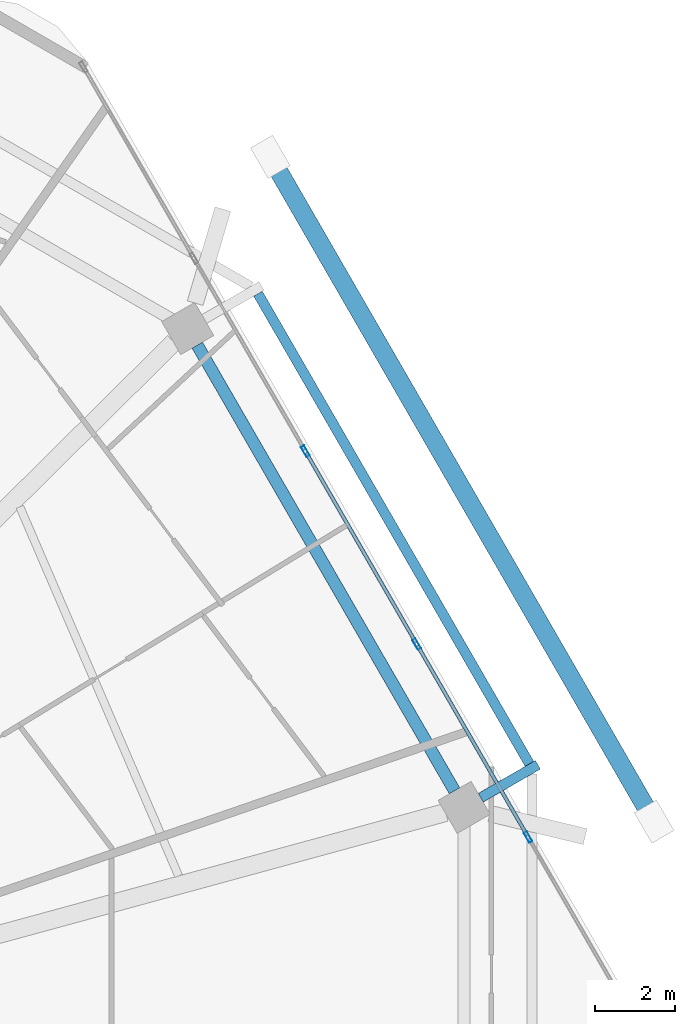
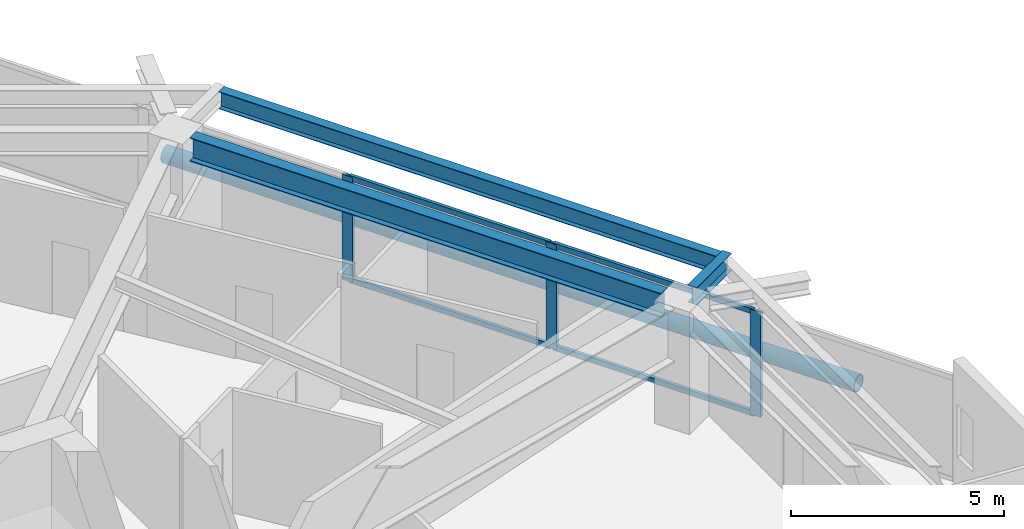
# One storey, part 17 of 28: 8 members, 3 beams, 1 element without a shape of its own.
"""IFC4 building model written with IfcOpenShell, lengths in metres."""

from ifc_helpers import new_model, si_unit, direction, frame, origin, origin_2d, place, context, subcontext, project, spatial, hollow_rectangle, hollow_circle, i_section, extrude, material, material_profile, profile_set, type_object, element, aggregate, save


model = new_model("IFC4")

# Units and contexts
model_context = context("Model", 3, precision=1e-05, world=origin(), true_north=direction((0.0, 1.0)))
body_context = subcontext(model_context, "Body", "Model", "MODEL_VIEW")
ifc_project = project(units=[si_unit("LENGTHUNIT", "METRE"), si_unit("AREAUNIT", "SQUARE_METRE"), si_unit("VOLUMEUNIT", "CUBIC_METRE"), si_unit("PLANEANGLEUNIT", "RADIAN"), si_unit("MASSUNIT", "GRAM", prefix="KILO")], contexts=[model_context])

# Site, building, storey
site_placement = place(None, origin())
site = spatial("IfcSite", under=ifc_project, at=site_placement, CompositionType="ELEMENT")
building_placement = place(site_placement, origin())
building = spatial("IfcBuilding", under=site, at=building_placement, Name="Zuhravey Tower", CompositionType="ELEMENT")
storey_placement = place(building_placement, frame((0.0, 0.0, 222.60009765625)))
storey = spatial("IfcBuildingStorey", under=building, at=storey_placement, Name="L56", CompositionType="ELEMENT", Elevation=222.60009765625)

# Curtain wall, members
ifc_material_1 = material(Name="Thermally broken anodised aluminium", Category="aluminium")
curtain_wall_type = type_object("IfcCurtainWallType", Name="Zone 1-2 Residential Curtain Wall CW3", PredefinedType="NOTDEFINED", material=ifc_material_1)
curtain_wall_placement = place(storey_placement, origin())
curtain_wall = element("IfcCurtainWall", 1, at=curtain_wall_placement, inside=storey, type_object=curtain_wall_type, Name="L56 CW3 CW-L56-F1-1", PredefinedType="NOTDEFINED")
ifc_material_2 = material(Name="Anodised aluminium", Category="aluminium")
ifc_material_profile_1 = material_profile(ifc_material_2, hollow_rectangle(XDim=0.090087890625, YDim=0.284912109375, WallThickness=0.0048828125, at=origin_2d()), Name="ALU-RHS-90x285x5")
ifc_profile_set_1 = profile_set([ifc_material_profile_1], Name="Anodised aluminium")
member_type_1 = type_object("IfcMemberType", Name="Curtain-Wall Mullion 90x180", PredefinedType="MULLION", material=ifc_profile_set_1)
member_1_placement = place(storey_placement, frame((58.155029296875, 47.992431640625, 0.0), z_axis=(0.0, 0.0, 1.0), x_axis=(0.866025138215, 0.500000459979, 0.0)))
member_1 = element("IfcMember", 2, at=member_1_placement, type_object=member_type_1, Name="CW3 mullion 3", PredefinedType="MULLION", context=body_context, shape_type="SweptSolid", body=[
    extrude(hollow_rectangle(XDim=0.090087890625, YDim=0.284912109375, WallThickness=0.0048828125, at=origin_2d()), origin(), (0.0, 0.0, 1.0), 3.02001953125),
])
member_2_placement = place(storey_placement, frame((60.92724609375, 43.190673828125, 0.0), z_axis=(0.0, 0.0, 1.0), x_axis=(0.866025138215, 0.500000459979, 0.0)))
member_2 = element("IfcMember", 3, at=member_2_placement, type_object=member_type_1, Name="CW3 mullion 4", PredefinedType="MULLION", context=body_context, shape_type="SweptSolid", body=[
    extrude(hollow_rectangle(XDim=0.090087890625, YDim=0.284912109375, WallThickness=0.0048828125, at=origin_2d()), origin(), (0.0, 0.0, 1.0), 3.02001953125),
])
member_3_placement = place(storey_placement, frame((63.699462890625, 38.38916015625, 0.0), z_axis=(0.0, 0.0, 1.0), x_axis=(0.866025138215, 0.500000459979, 0.0)))
member_3 = element("IfcMember", 4, at=member_3_placement, type_object=member_type_1, Name="CW3 mullion 5", PredefinedType="MULLION", context=body_context, shape_type="SweptSolid", body=[
    extrude(hollow_rectangle(XDim=0.090087890625, YDim=0.284912109375, WallThickness=0.0048828125, at=origin_2d()), origin(), (0.0, 0.0, 1.0), 3.02001953125),
])
ifc_material_profile_2 = material_profile(ifc_material_2, hollow_rectangle(XDim=0.090087890625, YDim=0.14990234375, WallThickness=0.0048828125, at=origin_2d()), Name="ALU-RHS-90x150x5")
ifc_profile_set_2 = profile_set([ifc_material_profile_2], Name="Anodised aluminium")
member_type_2 = type_object("IfcMemberType", Name="Curtain-Wall Transom 90x150", PredefinedType="USERDEFINED", material=ifc_profile_set_2)
member_4_placement = place(storey_placement, frame((58.177734375, 47.953369140625, 0.044921875), z_axis=(0.499980763544, -0.866036509673, 0.0), x_axis=(0.866036509673, 0.499980763544, 0.0)))
member_4 = element("IfcMember", 5, at=member_4_placement, type_object=member_type_2, Name="CW3 transom 3.1", ObjectType="TRANSOM", PredefinedType="USERDEFINED", context=body_context, shape_type="SweptSolid", body=[
    extrude(hollow_rectangle(XDim=0.090087890625, YDim=0.14990234375, WallThickness=0.0048828125, at=origin_2d()), origin(), (0.0, 0.0, 1.0), 5.454345703125),
])
member_5_placement = place(storey_placement, frame((58.177734375, 47.953369140625, 2.974853515625), z_axis=(0.499980763544, -0.866036509673, 0.0), x_axis=(0.866036509673, 0.499980763544, 0.0)))
member_5 = element("IfcMember", 6, at=member_5_placement, type_object=member_type_2, Name="CW3 transom 3.2", ObjectType="TRANSOM", PredefinedType="USERDEFINED", context=body_context, shape_type="SweptSolid", body=[
    extrude(hollow_rectangle(XDim=0.090087890625, YDim=0.14990234375, WallThickness=0.0048828125, at=origin_2d()), origin(), (0.0, 0.0, 1.0), 5.454345703125),
])
member_6_placement = place(storey_placement, frame((60.949951171875, 43.15185546875, 0.044921875), z_axis=(0.49996138257, -0.86604769842, 0.0), x_axis=(0.86604769842, 0.49996138257, 0.0)))
member_6 = element("IfcMember", 7, at=member_6_placement, type_object=member_type_2, Name="CW3 transom 4.1", ObjectType="TRANSOM", PredefinedType="USERDEFINED", context=body_context, shape_type="SweptSolid", body=[
    extrude(hollow_rectangle(XDim=0.090087890625, YDim=0.14990234375, WallThickness=0.0048828125, at=origin_2d()), origin(), (0.0, 0.0, 1.0), 5.45458984375),
])
member_7_placement = place(storey_placement, frame((60.949951171875, 43.15185546875, 2.974853515625), z_axis=(0.49996138257, -0.86604769842, 0.0), x_axis=(0.86604769842, 0.49996138257, 0.0)))
member_7 = element("IfcMember", 8, at=member_7_placement, type_object=member_type_2, Name="CW3 transom 4.2", ObjectType="TRANSOM", PredefinedType="USERDEFINED", context=body_context, shape_type="SweptSolid", body=[
    extrude(hollow_rectangle(XDim=0.090087890625, YDim=0.14990234375, WallThickness=0.0048828125, at=origin_2d()), origin(), (0.0, 0.0, 1.0), 5.45458984375),
])
aggregate(curtain_wall, [member_1, member_2, member_3, member_4, member_5, member_6, member_7])

# Member
ifc_material_3 = material(Name="Steel SM355", Category="steel")
ifc_material_profile_3 = material_profile(ifc_material_3, hollow_circle(Radius=0.228515625, WallThickness=0.02197265625, at=origin_2d()), Name="CHS-457.2x22")
ifc_profile_set_3 = profile_set([ifc_material_profile_3], Name="Steel SM355")
member_type_3 = type_object("IfcMemberType", Name="Exoskeleton Ring Tie CHS457x22", PredefinedType="CHORD", material=ifc_profile_set_3)
member_8_placement = place(storey_placement, frame((66.768798828125, 38.892822265625, -0.464111328125), z_axis=(-0.499989194203, 0.866031642424, 0.0), x_axis=(-0.866031642424, -0.499989194203, 0.0)))
element("IfcMember", 9, at=member_8_placement, inside=storey, type_object=member_type_3, Name="L56 Exoskeleton Face 1 Tie EXR1", PredefinedType="CHORD", context=body_context, shape_type="SweptSolid", body=[
    extrude(hollow_circle(Radius=0.228515625, WallThickness=0.02197265625, at=origin_2d()), origin(), (0.0, 0.0, 1.0), 18.830078125),
])

# Beams
ifc_material_profile_4 = material_profile(ifc_material_3, i_section(OverallWidth=0.300048828125, OverallDepth=0.679931640625, WebThickness=0.012939453125, FlangeThickness=0.02197265625, at=origin_2d()), Name="H-680x300x13x22")
ifc_profile_set_4 = profile_set([ifc_material_profile_4], Name="Steel SM355")
beam_type_1 = type_object("IfcBeamType", Name="Perimeter Ring Beam H680x300", PredefinedType="BEAM", material=ifc_profile_set_4)
beam_1_placement = place(storey_placement, frame((61.86865234375, 39.54052734375, 3.179931640625), z_axis=(-0.500003505699, 0.866023379758, 0.0), x_axis=(-0.866023379758, -0.500003505699, 0.0)))
element("IfcBeam", 10, at=beam_1_placement, inside=storey, type_object=beam_type_1, Name="L56 PB2 BM-L56-PB-01", PredefinedType="BEAM", context=body_context, shape_type="SweptSolid", body=[
    extrude(i_section(OverallWidth=0.300048828125, OverallDepth=0.679931640625, WebThickness=0.012939453125, FlangeThickness=0.02197265625, at=origin_2d()), origin(), (0.0, 0.0, 1.0), 12.80810546875),
])
ifc_material_profile_5 = material_profile(ifc_material_3, i_section(OverallWidth=0.25, OverallDepth=0.5, WebThickness=0.010009765625, FlangeThickness=0.01611328125, at=origin_2d()), Name="H-500x250x10x16")
ifc_profile_set_5 = profile_set([ifc_material_profile_5], Name="Steel SM355")
beam_type_2 = type_object("IfcBeamType", Name="Tray Cantilever Spandrel H500x250", PredefinedType="SPANDREL", material=ifc_profile_set_5)
beam_2_placement = place(storey_placement, frame((62.5224609375, 39.365966796875, 3.27001953125), z_axis=(0.866009679343, 0.500027234542, 0.0), x_axis=(-0.500027234542, 0.866009679343, 0.0)))
element("IfcBeam", 11, at=beam_2_placement, inside=storey, type_object=beam_type_2, Name="L56 Sky-Tray Cantilever Arm TSB1-R01", PredefinedType="SPANDREL", context=body_context, shape_type="SweptSolid", body=[
    extrude(i_section(OverallWidth=0.25, OverallDepth=0.5, WebThickness=0.010009765625, FlangeThickness=0.01611328125, at=origin_2d()), origin(), (0.0, 0.0, 1.0), 1.64111328125),
])
beam_3_placement = place(storey_placement, frame((63.73486328125, 40.2080078125, 3.27001953125), z_axis=(-0.500012189059, 0.866018366314, 0.0), x_axis=(-0.866018366314, -0.500012189059, 0.0)))
element("IfcBeam", 12, at=beam_3_placement, inside=storey, type_object=beam_type_2, Name="L56 Sky-Tray Edge Spandrel TSB1-01", PredefinedType="SPANDREL", context=body_context, shape_type="SweptSolid", body=[
    extrude(i_section(OverallWidth=0.25, OverallDepth=0.5, WebThickness=0.010009765625, FlangeThickness=0.01611328125, at=origin_2d()), origin(), (0.0, 0.0, 1.0), 13.518310546875),
])

save(model, "model.ifc")
